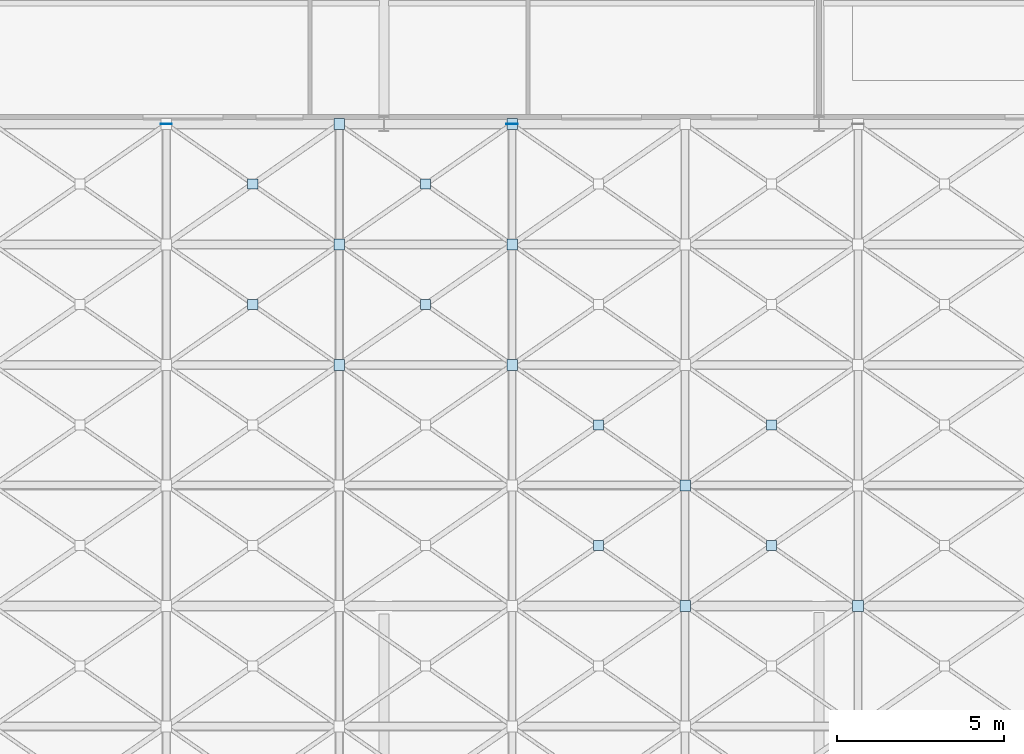
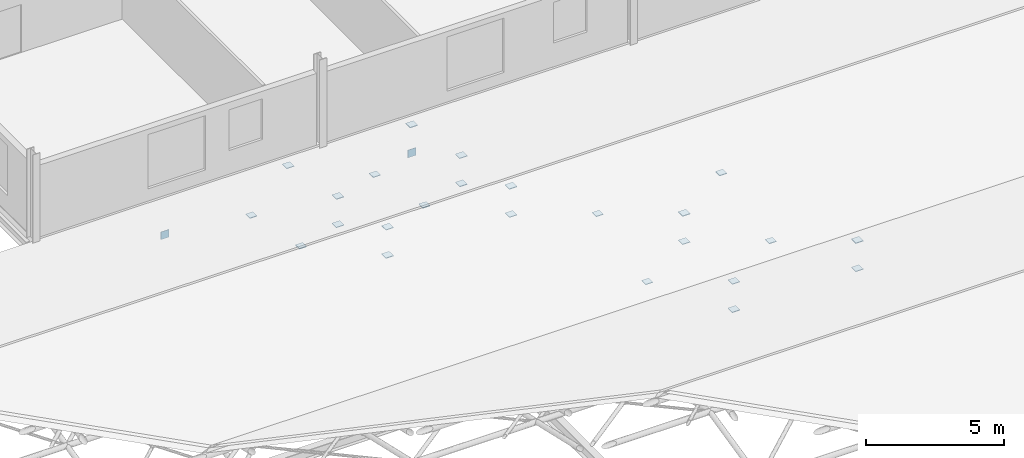
# One storey, part 98 of 110: 26 plates.
"""IFC4 building model written with IfcOpenShell, lengths in metres."""

from ifc_helpers import new_model, si_unit, direction, frame, origin, origin_2d, place, context, subcontext, project, spatial, rectangle, extrude, material, layer, layer_set, type_object, element, save


model = new_model("IFC4")

# Units and contexts
model_context = context("Model", 3, precision=1e-05, world=origin(), true_north=direction((0.0, 1.0)))
body_context = subcontext(model_context, "Body", "Model", "MODEL_VIEW")
ifc_project = project(units=[si_unit("LENGTHUNIT", "METRE"), si_unit("AREAUNIT", "SQUARE_METRE"), si_unit("VOLUMEUNIT", "CUBIC_METRE"), si_unit("PLANEANGLEUNIT", "RADIAN"), si_unit("MASSUNIT", "GRAM", prefix="KILO")], contexts=[model_context])

# Site, building, storey
site_placement = place(None, origin())
site = spatial("IfcSite", under=ifc_project, at=site_placement, CompositionType="ELEMENT")
building_placement = place(site_placement, origin())
building = spatial("IfcBuilding", under=site, at=building_placement, Name="Tamarisk Ironworks Central Station", CompositionType="ELEMENT")
storey_placement = place(building_placement, frame((0.0, 0.0, 17.39990234375)))
storey = spatial("IfcBuildingStorey", under=building, at=storey_placement, Name="L03", CompositionType="ELEMENT", Elevation=17.39990234375)

# Plates
ifc_material_1 = material(Name="Painted structural steel S355J2", Category="steel")
ifc_layer_1 = layer(ifc_material_1, 0.01611328125)
ifc_layer_set_1 = layer_set([ifc_layer_1], Name="Painted structural steel S355J2")
plate_type_1 = type_object("IfcPlateType", Name="PL-EC16", PredefinedType="SHEET", material=ifc_layer_set_1)
for number, where, z_axis, x_axis, name in (
    (1, (133.5, 79.199951171875, -1.89013671875), (0.0, 0.0, 1.0), (1.0, 0.0, 0.0), "Hollow section welded end-cap plate 17"),
    (2, (143.833251953125, 79.199951171875, -1.89013671875), (0.0, 0.0, 1.0), (1.0, 0.0, 0.0), "Hollow section welded end-cap plate 18"),
):
    element("IfcPlate", number, at=place(storey_placement, frame(where, z_axis=z_axis, x_axis=x_axis)), inside=storey, type_object=plate_type_1, Name=name, PredefinedType="SHEET", context=body_context, shape_type="SweptSolid", body=[
        extrude(rectangle(XDim=0.340087890625, YDim=0.01611328125, at=origin_2d()), origin(), (0.0, 0.0, 1.0), 0.340087890625),
    ])
ifc_material_2 = material(Name="Structural steel S355J2H", Category="steel")
ifc_layer_2 = layer(ifc_material_2, 0.02587890625)
ifc_layer_set_2 = layer_set([ifc_layer_2], Name="Structural steel S355J2H")
plate_type_2 = type_object("IfcPlateType", Name="PL-ND26", PredefinedType="SHEET", material=ifc_layer_set_2)
for number, where, z_axis, x_axis, name in (
    (3, (149.0, 64.800048828125, -0.48291015625), (0.0, 0.0, 1.0), (1.0, 0.0, 0.0), "Space-frame collector node plate 0886"),
    (4, (154.166748046875, 64.800048828125, -0.48291015625), (0.0, 0.0, 1.0), (1.0, 0.0, 0.0), "Space-frame collector node plate 0898"),
    (5, (138.666748046875, 72.0, 1.167236328125), (0.0, 0.0, 1.0), (1.0, 0.0, 0.0), "Space-frame collector node plate 1008"),
):
    element("IfcPlate", number, at=place(storey_placement, frame(where, z_axis=z_axis, x_axis=x_axis)), inside=storey, type_object=plate_type_2, Name=name, PredefinedType="SHEET", context=body_context, shape_type="SweptSolid", body=[
        extrude(rectangle(XDim=0.320068359375, YDim=0.320068359375, at=origin_2d()), origin(), (0.0, 0.0, 1.0), 0.02587890625),
    ])
plate_1_placement = place(storey_placement, frame((136.083251953125, 73.800048828125, 0.129638671875), z_axis=(0.0, 0.0, 1.0), x_axis=(1.0, 0.0, 0.0)))
element("IfcPlate", 6, at=plate_1_placement, inside=storey, type_object=plate_type_2, Name="Space-frame X-brace crossing gusset plate 1009", PredefinedType="SHEET", context=body_context, shape_type="SweptSolid", body=[
    extrude(rectangle(XDim=0.300048828125, YDim=0.300048828125, at=origin_2d()), origin(), (0.0, 0.0, 1.0), 0.02587890625),
])
for number, where, z_axis, x_axis, name in (
    (7, (138.666748046875, 72.0, -0.082763671875), (0.0, 0.0, 1.0), (1.0, 0.0, 0.0), "Space-frame collector node plate 1010"),
    (8, (138.666748046875, 75.60009765625, 0.342041015625), (0.0, 0.0, 1.0), (1.0, 0.0, 0.0), "Space-frame collector node plate 1011"),
):
    element("IfcPlate", number, at=place(storey_placement, frame(where, z_axis=z_axis, x_axis=x_axis)), inside=storey, type_object=plate_type_2, Name=name, PredefinedType="SHEET", context=body_context, shape_type="SweptSolid", body=[
        extrude(rectangle(XDim=0.320068359375, YDim=0.320068359375, at=origin_2d()), origin(), (0.0, 0.0, 1.0), 0.02587890625),
    ])
plate_2_placement = place(storey_placement, frame((136.083251953125, 77.39990234375, -0.6953125), z_axis=(0.0, 0.0, 1.0), x_axis=(1.0, 0.0, 0.0)))
element("IfcPlate", 9, at=plate_2_placement, inside=storey, type_object=plate_type_2, Name="Space-frame X-brace crossing gusset plate 1012", PredefinedType="SHEET", context=body_context, shape_type="SweptSolid", body=[
    extrude(rectangle(XDim=0.300048828125, YDim=0.300048828125, at=origin_2d()), origin(), (0.0, 0.0, 1.0), 0.02587890625),
])
for number, where, z_axis, x_axis, name in (
    (10, (138.666748046875, 75.60009765625, -0.907958984375), (0.0, 0.0, 1.0), (1.0, 0.0, 0.0), "Space-frame collector node plate 1013"),
    (11, (138.666748046875, 79.199951171875, -0.48291015625), (0.0, 0.0, 1.0), (1.0, 0.0, 0.0), "Space-frame collector node plate 1014"),
    (12, (143.833251953125, 72.0, 1.167236328125), (0.0, 0.0, 1.0), (1.0, 0.0, 0.0), "Space-frame collector node plate 1020"),
):
    element("IfcPlate", number, at=place(storey_placement, frame(where, z_axis=z_axis, x_axis=x_axis)), inside=storey, type_object=plate_type_2, Name=name, PredefinedType="SHEET", context=body_context, shape_type="SweptSolid", body=[
        extrude(rectangle(XDim=0.320068359375, YDim=0.320068359375, at=origin_2d()), origin(), (0.0, 0.0, 1.0), 0.02587890625),
    ])
plate_3_placement = place(storey_placement, frame((141.25, 73.800048828125, 0.129638671875), z_axis=(0.0, 0.0, 1.0), x_axis=(1.0, 0.0, 0.0)))
element("IfcPlate", 13, at=plate_3_placement, inside=storey, type_object=plate_type_2, Name="Space-frame X-brace crossing gusset plate 1021", PredefinedType="SHEET", context=body_context, shape_type="SweptSolid", body=[
    extrude(rectangle(XDim=0.300048828125, YDim=0.300048828125, at=origin_2d()), origin(), (0.0, 0.0, 1.0), 0.02587890625),
])
for number, where, z_axis, x_axis, name in (
    (14, (143.833251953125, 72.0, -0.082763671875), (0.0, 0.0, 1.0), (1.0, 0.0, 0.0), "Space-frame collector node plate 1022"),
    (15, (143.833251953125, 75.60009765625, 0.342041015625), (0.0, 0.0, 1.0), (1.0, 0.0, 0.0), "Space-frame collector node plate 1023"),
):
    element("IfcPlate", number, at=place(storey_placement, frame(where, z_axis=z_axis, x_axis=x_axis)), inside=storey, type_object=plate_type_2, Name=name, PredefinedType="SHEET", context=body_context, shape_type="SweptSolid", body=[
        extrude(rectangle(XDim=0.320068359375, YDim=0.320068359375, at=origin_2d()), origin(), (0.0, 0.0, 1.0), 0.02587890625),
    ])
plate_4_placement = place(storey_placement, frame((141.25, 77.39990234375, -0.6953125), z_axis=(0.0, 0.0, 1.0), x_axis=(1.0, 0.0, 0.0)))
element("IfcPlate", 16, at=plate_4_placement, inside=storey, type_object=plate_type_2, Name="Space-frame X-brace crossing gusset plate 1024", PredefinedType="SHEET", context=body_context, shape_type="SweptSolid", body=[
    extrude(rectangle(XDim=0.300048828125, YDim=0.300048828125, at=origin_2d()), origin(), (0.0, 0.0, 1.0), 0.02587890625),
])
for number, where, z_axis, x_axis, name in (
    (17, (143.833251953125, 75.60009765625, -0.907958984375), (0.0, 0.0, 1.0), (1.0, 0.0, 0.0), "Space-frame collector node plate 1025"),
    (18, (143.833251953125, 79.199951171875, -0.48291015625), (0.0, 0.0, 1.0), (1.0, 0.0, 0.0), "Space-frame collector node plate 1026"),
):
    element("IfcPlate", number, at=place(storey_placement, frame(where, z_axis=z_axis, x_axis=x_axis)), inside=storey, type_object=plate_type_2, Name=name, PredefinedType="SHEET", context=body_context, shape_type="SweptSolid", body=[
        extrude(rectangle(XDim=0.320068359375, YDim=0.320068359375, at=origin_2d()), origin(), (0.0, 0.0, 1.0), 0.02587890625),
    ])
plate_5_placement = place(storey_placement, frame((146.416748046875, 66.60009765625, -0.6953125), z_axis=(0.0, 0.0, 1.0), x_axis=(1.0, 0.0, 0.0)))
element("IfcPlate", 19, at=plate_5_placement, inside=storey, type_object=plate_type_2, Name="Space-frame X-brace crossing gusset plate 1027", PredefinedType="SHEET", context=body_context, shape_type="SweptSolid", body=[
    extrude(rectangle(XDim=0.300048828125, YDim=0.300048828125, at=origin_2d()), origin(), (0.0, 0.0, 1.0), 0.02587890625),
])
for number, where, z_axis, x_axis, name in (
    (20, (149.0, 64.800048828125, -1.73291015625), (0.0, 0.0, 1.0), (1.0, 0.0, 0.0), "Space-frame collector node plate 1028"),
    (21, (149.0, 68.39990234375, 0.342041015625), (0.0, 0.0, 1.0), (1.0, 0.0, 0.0), "Space-frame collector node plate 1029"),
):
    element("IfcPlate", number, at=place(storey_placement, frame(where, z_axis=z_axis, x_axis=x_axis)), inside=storey, type_object=plate_type_2, Name=name, PredefinedType="SHEET", context=body_context, shape_type="SweptSolid", body=[
        extrude(rectangle(XDim=0.320068359375, YDim=0.320068359375, at=origin_2d()), origin(), (0.0, 0.0, 1.0), 0.02587890625),
    ])
plate_6_placement = place(storey_placement, frame((146.416748046875, 70.199951171875, 0.129638671875), z_axis=(0.0, 0.0, 1.0), x_axis=(1.0, 0.0, 0.0)))
element("IfcPlate", 22, at=plate_6_placement, inside=storey, type_object=plate_type_2, Name="Space-frame X-brace crossing gusset plate 1030", PredefinedType="SHEET", context=body_context, shape_type="SweptSolid", body=[
    extrude(rectangle(XDim=0.300048828125, YDim=0.300048828125, at=origin_2d()), origin(), (0.0, 0.0, 1.0), 0.02587890625),
])
plate_7_placement = place(storey_placement, frame((149.0, 68.39990234375, -0.907958984375), z_axis=(0.0, 0.0, 1.0), x_axis=(1.0, 0.0, 0.0)))
element("IfcPlate", 23, at=plate_7_placement, inside=storey, type_object=plate_type_2, Name="Space-frame collector node plate 1031", PredefinedType="SHEET", context=body_context, shape_type="SweptSolid", body=[
    extrude(rectangle(XDim=0.320068359375, YDim=0.320068359375, at=origin_2d()), origin(), (0.0, 0.0, 1.0), 0.02587890625),
])
plate_8_placement = place(storey_placement, frame((151.583251953125, 66.60009765625, -0.6953125), z_axis=(0.0, 0.0, 1.0), x_axis=(1.0, 0.0, 0.0)))
element("IfcPlate", 24, at=plate_8_placement, inside=storey, type_object=plate_type_2, Name="Space-frame X-brace crossing gusset plate 1039", PredefinedType="SHEET", context=body_context, shape_type="SweptSolid", body=[
    extrude(rectangle(XDim=0.300048828125, YDim=0.300048828125, at=origin_2d()), origin(), (0.0, 0.0, 1.0), 0.02587890625),
])
plate_9_placement = place(storey_placement, frame((154.166748046875, 64.800048828125, -1.73291015625), z_axis=(0.0, 0.0, 1.0), x_axis=(1.0, 0.0, 0.0)))
element("IfcPlate", 25, at=plate_9_placement, inside=storey, type_object=plate_type_2, Name="Space-frame collector node plate 1040", PredefinedType="SHEET", context=body_context, shape_type="SweptSolid", body=[
    extrude(rectangle(XDim=0.320068359375, YDim=0.320068359375, at=origin_2d()), origin(), (0.0, 0.0, 1.0), 0.02587890625),
])
plate_10_placement = place(storey_placement, frame((151.583251953125, 70.199951171875, 0.129638671875), z_axis=(0.0, 0.0, 1.0), x_axis=(1.0, 0.0, 0.0)))
element("IfcPlate", 26, at=plate_10_placement, inside=storey, type_object=plate_type_2, Name="Space-frame X-brace crossing gusset plate 1042", PredefinedType="SHEET", context=body_context, shape_type="SweptSolid", body=[
    extrude(rectangle(XDim=0.300048828125, YDim=0.300048828125, at=origin_2d()), origin(), (0.0, 0.0, 1.0), 0.02587890625),
])

save(model, "model.ifc")
